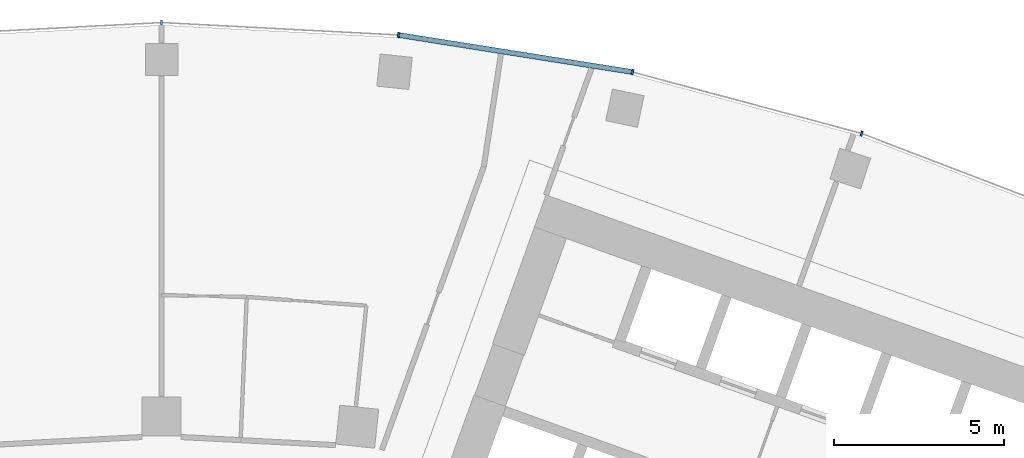
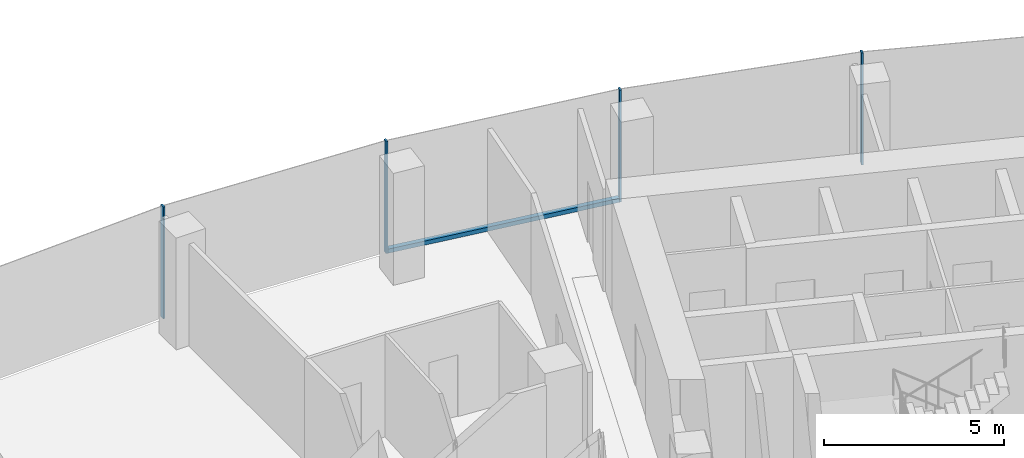
# One storey, part 6 of 16: 5 members, 1 element without a shape of its own.
"""IFC4 building model written with IfcOpenShell, lengths in metres."""

from ifc_helpers import new_model, si_unit, direction, frame, origin, origin_2d, place, context, subcontext, project, spatial, rectangle, extrude, material, layer, layer_set, material_profile, profile_set, type_object, element, aggregate, save


model = new_model("IFC4")

# Units and contexts
model_context = context("Model", 3, precision=1e-05, world=origin(), true_north=direction((0.0, 1.0)))
body_context = subcontext(model_context, "Body", "Model", "MODEL_VIEW")
ifc_project = project(units=[si_unit("LENGTHUNIT", "METRE"), si_unit("AREAUNIT", "SQUARE_METRE"), si_unit("VOLUMEUNIT", "CUBIC_METRE"), si_unit("PLANEANGLEUNIT", "RADIAN"), si_unit("MASSUNIT", "GRAM", prefix="KILO")], contexts=[model_context])

# Site, building, storey
site_placement = place(None, origin())
site = spatial("IfcSite", under=ifc_project, at=site_placement, CompositionType="ELEMENT")
building_placement = place(site_placement, origin())
building = spatial("IfcBuilding", under=site, at=building_placement, Name="Stone Belt Terrace Tower", CompositionType="ELEMENT")
storey_placement = place(building_placement, frame((0.0, 0.0, 242.800048828125)))
storey = spatial("IfcBuildingStorey", under=building, at=storey_placement, Name="L59", CompositionType="ELEMENT", Elevation=242.800048828125)

# Curtain wall, members
ifc_material = material(Name="Aluminium 6063-T6 anodised frame", Category="aluminium")
ifc_layer = layer(ifc_material, 0.14990234375)
ifc_layer_set = layer_set([ifc_layer], Name="CW-A unitised convex-face curtain wall")
curtain_wall_type = type_object("IfcCurtainWallType", Name="CW-A unitised convex-face curtain wall", PredefinedType="NOTDEFINED", material=ifc_layer_set)
curtain_wall_placement = place(storey_placement, origin())
curtain_wall = element("IfcCurtainWall", 1, at=curtain_wall_placement, inside=storey, type_object=curtain_wall_type, Name="CW-A convex face L59", PredefinedType="NOTDEFINED")
ifc_material_profile_1 = material_profile(ifc_material, rectangle(XDim=0.14990234375, YDim=0.06005859375, at=origin_2d()), Name="Aluminium 6063-T6 60x150")
ifc_profile_set_1 = profile_set([ifc_material_profile_1], Name="Aluminium 6063-T6 anodised frame")
member_type_1 = type_object("IfcMemberType", Name="CW-A mullion 60 x 150", PredefinedType="MULLION", material=ifc_profile_set_1)
member_1_placement = place(storey_placement, frame((20.57275390625, 63.316650390625, 0.0), z_axis=(0.0, 0.0, 1.0), x_axis=(-0.309016994375, -0.951056516295, 0.0)))
member_1 = element("IfcMember", 2, at=member_1_placement, type_object=member_type_1, Name="CW-A mullion 6", PredefinedType="MULLION", context=body_context, shape_type="SweptSolid", body=[
    extrude(rectangle(XDim=0.14990234375, YDim=0.06005859375, at=origin_2d()), origin(), (0.0, 0.0, 1.0), 3.800048828125),
])
member_2_placement = place(storey_placement, frame((13.841796875, 65.120361328125, 0.0), z_axis=(0.0, 0.0, 1.0), x_axis=(-0.207911690818, -0.978147600734, 0.0)))
member_2 = element("IfcMember", 3, at=member_2_placement, type_object=member_type_1, Name="CW-A mullion 7", PredefinedType="MULLION", context=body_context, shape_type="SweptSolid", body=[
    extrude(rectangle(XDim=0.14990234375, YDim=0.06005859375, at=origin_2d()), origin(), (0.0, 0.0, 1.0), 3.800048828125),
])
member_3_placement = place(storey_placement, frame((6.958984375, 66.21044921875, 0.0), z_axis=(0.0, 0.0, 1.0), x_axis=(-0.104528463268, -0.994521895368, 0.0)))
member_3 = element("IfcMember", 4, at=member_3_placement, type_object=member_type_1, Name="CW-A mullion 8", PredefinedType="MULLION", context=body_context, shape_type="SweptSolid", body=[
    extrude(rectangle(XDim=0.14990234375, YDim=0.06005859375, at=origin_2d()), origin(), (0.0, 0.0, 1.0), 3.800048828125),
])
member_4_placement = place(storey_placement, frame((0.0, 66.5751953125, 0.0), z_axis=(0.0, 0.0, 1.0), x_axis=(0.0, -1.0, 0.0)))
member_4 = element("IfcMember", 5, at=member_4_placement, type_object=member_type_1, Name="CW-A mullion 9", PredefinedType="MULLION", context=body_context, shape_type="SweptSolid", body=[
    extrude(rectangle(XDim=0.14990234375, YDim=0.06005859375, at=origin_2d()), origin(), (0.0, 0.0, 1.0), 3.800048828125),
])
ifc_material_profile_2 = material_profile(ifc_material, rectangle(XDim=0.14990234375, YDim=0.139892578125, at=origin_2d()), Name="Aluminium 6063-T6 150x140")
ifc_profile_set_2 = profile_set([ifc_material_profile_2], Name="Aluminium 6063-T6 anodised frame")
member_type_2 = type_object("IfcMemberType", Name="CW-A transom 140 x 150", PredefinedType="USERDEFINED", material=ifc_profile_set_2)
member_5_placement = place(storey_placement, frame((13.808349609375, 65.12548828125, 0.070068359375), z_axis=(-0.987687120531, 0.156442168027, 0.0), x_axis=(-0.156442168027, -0.987687120531, 0.0)))
member_5 = element("IfcMember", 6, at=member_5_placement, type_object=member_type_2, Name="CW-A transom 7.1", ObjectType="TRANSOM", PredefinedType="USERDEFINED", context=body_context, shape_type="SweptSolid", body=[
    extrude(rectangle(XDim=0.14990234375, YDim=0.139892578125, at=origin_2d()), origin(), (0.0, 0.0, 1.0), 6.90087890625),
])
aggregate(curtain_wall, [member_1, member_2, member_3, member_4, member_5])

save(model, "model.ifc")
